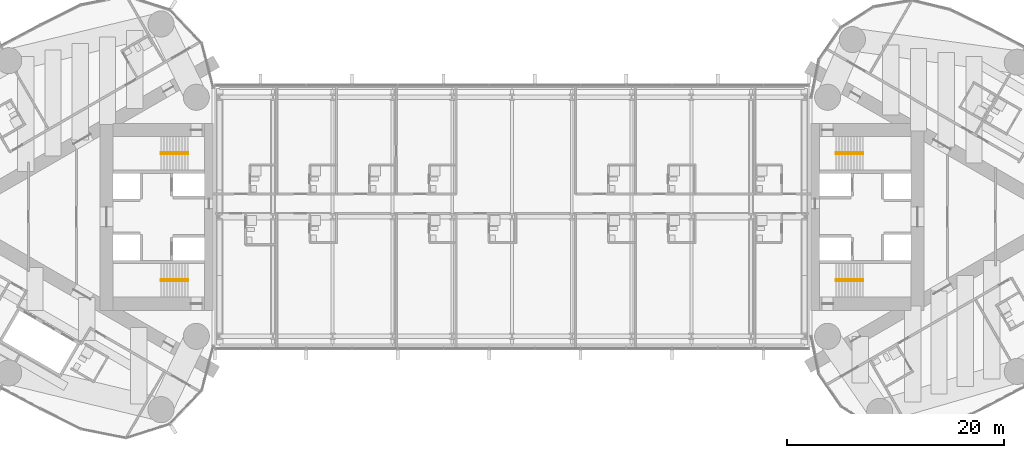
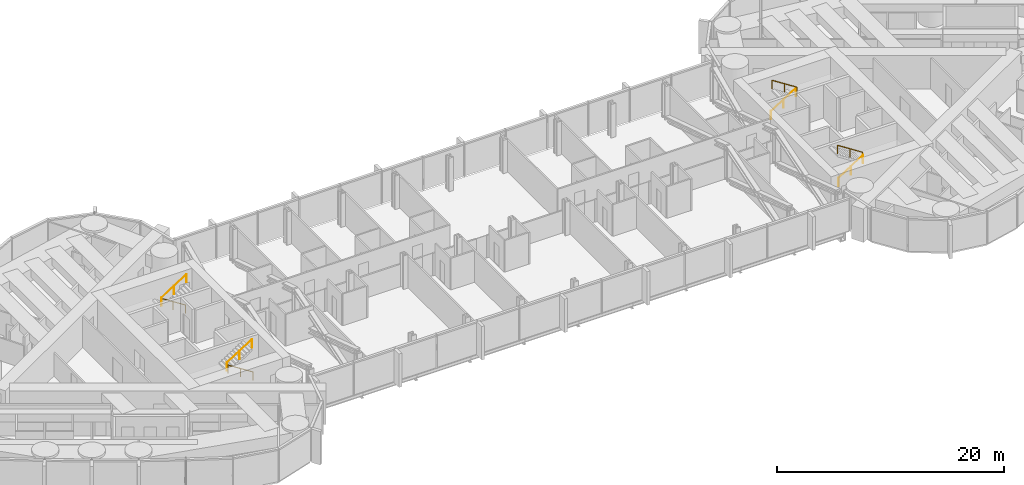
# One storey, part 21 of 22: 8 railings.
"""IFC4 building model written with IfcOpenShell, lengths in metres."""

import ifcopenshell
import ifcopenshell.guid

model = None  # the IFC model being written
_history = None  # IfcOwnerHistory: only IFC2X3 demands one
_inside = {}  # id of a spatial element -> (the spatial element, [elements in it])
_under = {}  # id of a project, library or spatial element -> (it, [spatial elements below it])
_declared = {}  # id of a project -> (the project, [libraries it declares])
_typed = {}  # id of a type object -> (the type object, [elements of that type])
_made_of = {}  # id of a material, layer set ... -> (it, [elements and type objects made of it])


def new_model(schema):
    """Start an empty IFC model of exactly this schema.

    Asked for "IFC4X3", IfcOpenShell would pick the latest addendum, in which some entities
    have other attributes; the version numbers below select the first issue.
    IFC2X3 requires an IfcOwnerHistory on every rooted entity: one is made here for all.
    """
    global model, _history
    if schema == "IFC4X3":
        model = ifcopenshell.file(schema_version=(4, 3, 0, 0))
    else:
        model = ifcopenshell.file(schema=schema)
    _inside.clear()
    _under.clear()
    _declared.clear()
    _typed.clear()
    _made_of.clear()
    _history = None
    if model.schema == "IFC2X3":
        org = make("IfcOrganization", Name="unknown")
        user = make(
            "IfcPersonAndOrganization",
            ThePerson=make("IfcPerson", FamilyName="unknown"),
            TheOrganization=org,
        )
        app = make(
            "IfcApplication",
            ApplicationDeveloper=org,
            Version="unknown",
            ApplicationFullName="unknown",
            ApplicationIdentifier="unknown",
        )
        _history = make(
            "IfcOwnerHistory",
            OwningUser=user,
            OwningApplication=app,
            ChangeAction="ADDED",
            CreationDate=0,
        )
    return model


def make(cls, **values):
    """One entity of the class cls with the attributes given. An attribute that is None is left unset."""
    return model.create_entity(
        cls, **{name: value for name, value in values.items() if value is not None}
    )


def rooted(cls, **values):
    """An entity with a GlobalId (a new one), such as an element, a storey or a relation."""
    return make(cls, GlobalId=ifcopenshell.guid.new(), OwnerHistory=_history, **values)


def si_unit(unit_type, name, prefix=None):
    """IfcSIUnit, for example si_unit("LENGTHUNIT", "METRE", prefix="MILLI")."""
    return make("IfcSIUnit", UnitType=unit_type, Prefix=prefix, Name=name)


def assignment(units):
    """IfcUnitAssignment: the units of a project."""
    return None if units is None else make("IfcUnitAssignment", Units=units)


def point(xyz):
    """IfcCartesianPoint."""
    return None if xyz is None else make("IfcCartesianPoint", Coordinates=xyz)


def direction(xyz):
    """IfcDirection."""
    return None if xyz is None else make("IfcDirection", DirectionRatios=xyz)


def frame(location, z_axis=None, x_axis=None):
    """IfcAxis2Placement3D, a coordinate frame: its origin and axes. An axis left out is left unset."""
    return make(
        "IfcAxis2Placement3D",
        Location=point(location),
        Axis=direction(z_axis),
        RefDirection=direction(x_axis),
    )


def frame_2d(location, x_axis=None):
    """IfcAxis2Placement2D, a coordinate frame in the plane: its origin and x axis."""
    return make(
        "IfcAxis2Placement2D", Location=point(location), RefDirection=direction(x_axis)
    )


def origin():
    """The frame at (0, 0, 0) with its axes left unset."""
    return frame((0.0, 0.0, 0.0))


def origin_2d():
    """The frame at (0, 0) in the plane with its x axis left unset."""
    return frame_2d((0.0, 0.0))


def place(relative_to, where):
    """IfcLocalPlacement: puts the frame where relative to a parent placement (None: the world)."""
    return make(
        "IfcLocalPlacement", PlacementRelTo=relative_to, RelativePlacement=where
    )


def context(
    kind, dimensions, precision=None, world=None, true_north=None, identifier=None
):
    """IfcGeometricRepresentationContext, for example the 3D "Model" context."""
    return make(
        "IfcGeometricRepresentationContext",
        ContextIdentifier=identifier,
        ContextType=kind,
        CoordinateSpaceDimension=dimensions,
        Precision=precision,
        WorldCoordinateSystem=world,
        TrueNorth=true_north,
    )


def subcontext(parent, identifier, kind, view, scale=None):
    """IfcGeometricRepresentationSubContext, for example "Body" below "Model"."""
    return make(
        "IfcGeometricRepresentationSubContext",
        ContextIdentifier=identifier,
        ContextType=kind,
        ParentContext=parent,
        TargetScale=scale,
        TargetView=view,
    )


def project(units=None, contexts=None):
    """IfcProject with its units and contexts."""
    return rooted(
        "IfcProject",
        Name="project",
        RepresentationContexts=contexts,
        UnitsInContext=assignment(units),
    )


def spatial(cls, under=None, at=None, **own):
    """A site, building, storey or space (cls), placed at a placement, below another one or the project."""
    s = rooted(cls, ObjectPlacement=at, **own)
    if under is not None:
        _under.setdefault(under.id(), (under, []))[1].append(s)
    return s


def profile(cls, at=None, kind="AREA", **sizes):
    """A parametric profile (cls). Its sizes go by their IFC names, for example OverallWidth=200.0."""
    return make(cls, ProfileType=kind, Position=at, **sizes)


def circle(**sizes):
    """IfcCircleProfileDef."""
    return profile("IfcCircleProfileDef", **sizes)


def extrude(swept, where, along, depth):
    """IfcExtrudedAreaSolid: the profile swept, set in the frame where, extruded along a direction by depth."""
    return make(
        "IfcExtrudedAreaSolid",
        SweptArea=swept,
        Position=where,
        ExtrudedDirection=direction(along),
        Depth=depth,
    )


def shape(context_of_items, identifier, shape_type, items):
    """IfcShapeRepresentation: the items that make up one representation, for example the "Body"."""
    return make(
        "IfcShapeRepresentation",
        ContextOfItems=context_of_items,
        RepresentationIdentifier=identifier,
        RepresentationType=shape_type,
        Items=items,
    )


def material(Name=None, Category=None):
    """IfcMaterial."""
    return make("IfcMaterial", Name=Name, Category=Category)


def made_of(thing, what):
    """Note that an element or type object is made of a material, layer set ...; save() writes the relation."""
    if what is not None:
        _made_of.setdefault(what.id(), (what, []))[1].append(thing)
    return thing


def type_object(cls, material=None, **own):
    """A type object (cls), such as IfcWallType, which elements share."""
    return made_of(rooted(cls, **own), material)


def element(
    cls,
    number,
    at=None,
    inside=None,
    cuts=None,
    type_object=None,
    material=None,
    context=None,
    identifier="Body",
    shape_type=None,
    held_by="IfcProductDefinitionShape",
    body=None,
    shapes=None,
    **own,
):
    """One element of the class cls, such as IfcWall. Its Tag is "e" and its number.

    at: its placement. inside: the storey or other place that contains it. cuts: it is an
    opening in that element (IfcRelVoidsElement). A single representation is given by context,
    identifier, shape_type and body (its items); several are given by shapes. held_by: the class
    of the entity that holds the representations. save() writes the other relations.
    """
    e = rooted(cls, Tag="e%d" % number, ObjectPlacement=at, **own)
    if body is not None:
        shapes = [shape(context, identifier, shape_type, body)]
    if shapes is not None:
        e.Representation = make(held_by, Representations=shapes)
    if inside is not None:
        _inside.setdefault(inside.id(), (inside, []))[1].append(e)
    if cuts is not None:
        rooted(
            "IfcRelVoidsElement", RelatingBuildingElement=cuts, RelatedOpeningElement=e
        )
    if type_object is not None:
        _typed.setdefault(type_object.id(), (type_object, []))[1].append(e)
    return made_of(e, material)


def aggregate(whole, parts):
    """IfcRelAggregates: a whole, such as a stair, and the parts it consists of."""
    return rooted("IfcRelAggregates", RelatingObject=whole, RelatedObjects=parts)


def save(model, path):
    """Write the relations noted so far, then the file.

    IfcRelAggregates (storeys below a building ...), IfcRelContainedInSpatialStructure (elements
    in a storey), IfcRelDefinesByType, IfcRelAssociatesMaterial and IfcRelDeclares: one each for
    every whole, place, type object, material and project.
    """
    for whole, parts in _under.values():
        aggregate(whole, parts)
    for where, things in _inside.values():
        rooted(
            "IfcRelContainedInSpatialStructure",
            RelatedElements=things,
            RelatingStructure=where,
        )
    for kind, things in _typed.values():
        rooted("IfcRelDefinesByType", RelatedObjects=things, RelatingType=kind)
    for what, things in _made_of.values():
        rooted("IfcRelAssociatesMaterial", RelatedObjects=things, RelatingMaterial=what)
    for by, libraries in _declared.values():
        rooted("IfcRelDeclares", RelatingContext=by, RelatedDefinitions=libraries)
    model.write(path)


model = new_model("IFC4")

# Units and contexts
model_context = context("Model", 3, precision=1e-05, world=origin(), true_north=direction((0.0, 1.0)))
body_context = subcontext(model_context, "Body", "Model", "MODEL_VIEW")
ifc_project = project(units=[si_unit("LENGTHUNIT", "METRE"), si_unit("AREAUNIT", "SQUARE_METRE"), si_unit("VOLUMEUNIT", "CUBIC_METRE"), si_unit("PLANEANGLEUNIT", "RADIAN"), si_unit("MASSUNIT", "GRAM", prefix="KILO")], contexts=[model_context])

# Site, building, storey
site_placement = place(None, origin())
site = spatial("IfcSite", under=ifc_project, at=site_placement, CompositionType="ELEMENT")
building_placement = place(site_placement, origin())
building = spatial("IfcBuilding", under=site, at=building_placement, Name="Lancet Gate Hotel", CompositionType="ELEMENT")
storey_placement = place(building_placement, frame((0.0, 0.0, 233.300048828125)))
storey = spatial("IfcBuildingStorey", under=building, at=storey_placement, Name="L62", CompositionType="ELEMENT", Elevation=233.300048828125)

# Railings
ifc_material = material(Name="Stainless steel handrail", Category="steel")
railing_type = type_object("IfcRailingType", Name="Stair handrail 900", PredefinedType="HANDRAIL", material=ifc_material)
railing_1_placement = place(storey_placement, frame((-29.800048828125, 5.929931640625, 0.179931640625)))
element("IfcRailing", 1, at=railing_1_placement, inside=storey, type_object=railing_type, Name="ST1 handrail flight 1 L62", PredefinedType="HANDRAIL", context=body_context, shape_type="SweptSolid", body=[
    extrude(circle(Radius=0.02392578125, at=origin_2d()), frame((0.0, 0.0, 0.8759765625), z_axis=(-0.841162588446, 0.0, 0.540782303519), x_axis=(0.0, -1.0, 0.0)), (0.0, 0.0, 1.0), 2.995849609375),
    extrude(circle(Radius=0.02099609375, at=origin_2d()), origin(), (0.0, 0.0, 1.0), 0.851806640625),
    extrude(circle(Radius=0.02099609375, at=origin_2d()), frame((-1.260009765625, 0.0, 0.81005859375)), (0.0, 0.0, 1.0), 0.851806640625),
    extrude(circle(Radius=0.02099609375, at=origin_2d()), frame((-2.52001953125, 0.0, 1.6201171875)), (0.0, 0.0, 1.0), 0.851806640625),
])
railing_2_placement = place(storey_placement, frame((-32.320068359375, 5.77001953125, 1.97998046875)))
element("IfcRailing", 2, at=railing_2_placement, inside=storey, type_object=railing_type, Name="ST1 handrail flight 2 L62", PredefinedType="HANDRAIL", context=body_context, shape_type="SweptSolid", body=[
    extrude(circle(Radius=0.02392578125, at=origin_2d()), frame((0.0, 0.0, 0.8759765625), z_axis=(0.841199657755, 0.0, 0.540724639528), x_axis=(0.0, 1.0, 0.0)), (0.0, 0.0, 1.0), 2.995849609375),
    extrude(circle(Radius=0.02099609375, at=origin_2d()), origin(), (0.0, 0.0, 1.0), 0.851806640625),
    extrude(circle(Radius=0.02099609375, at=origin_2d()), frame((1.260009765625, 0.0, 0.81005859375)), (0.0, 0.0, 1.0), 0.851806640625),
    extrude(circle(Radius=0.02099609375, at=origin_2d()), frame((2.52001953125, 0.0, 1.619873046875)), (0.0, 0.0, 1.0), 0.851806640625),
])
railing_3_placement = place(storey_placement, frame((-29.800048828125, -5.929931640625, 0.179931640625)))
element("IfcRailing", 3, at=railing_3_placement, inside=storey, type_object=railing_type, Name="ST2 handrail flight 1 L62", PredefinedType="HANDRAIL", context=body_context, shape_type="SweptSolid", body=[
    extrude(circle(Radius=0.02392578125, at=origin_2d()), frame((0.0, 0.0, 0.8759765625), z_axis=(-0.841162588446, 0.0, 0.540782303519), x_axis=(0.0, -1.0, 0.0)), (0.0, 0.0, 1.0), 2.995849609375),
    extrude(circle(Radius=0.02099609375, at=origin_2d()), origin(), (0.0, 0.0, 1.0), 0.851806640625),
    extrude(circle(Radius=0.02099609375, at=origin_2d()), frame((-1.260009765625, 0.0, 0.81005859375)), (0.0, 0.0, 1.0), 0.851806640625),
    extrude(circle(Radius=0.02099609375, at=origin_2d()), frame((-2.52001953125, 0.0, 1.6201171875)), (0.0, 0.0, 1.0), 0.851806640625),
])
railing_4_placement = place(storey_placement, frame((-32.320068359375, -5.77001953125, 1.97998046875)))
element("IfcRailing", 4, at=railing_4_placement, inside=storey, type_object=railing_type, Name="ST2 handrail flight 2 L62", PredefinedType="HANDRAIL", context=body_context, shape_type="SweptSolid", body=[
    extrude(circle(Radius=0.02392578125, at=origin_2d()), frame((0.0, 0.0, 0.8759765625), z_axis=(0.841199657755, 0.0, 0.540724639528), x_axis=(0.0, 1.0, 0.0)), (0.0, 0.0, 1.0), 2.995849609375),
    extrude(circle(Radius=0.02099609375, at=origin_2d()), origin(), (0.0, 0.0, 1.0), 0.851806640625),
    extrude(circle(Radius=0.02099609375, at=origin_2d()), frame((1.260009765625, 0.0, 0.81005859375)), (0.0, 0.0, 1.0), 0.851806640625),
    extrude(circle(Radius=0.02099609375, at=origin_2d()), frame((2.52001953125, 0.0, 1.619873046875)), (0.0, 0.0, 1.0), 0.851806640625),
])
railing_5_placement = place(storey_placement, frame((29.800048828125, -5.929931640625, 0.179931640625)))
element("IfcRailing", 5, at=railing_5_placement, inside=storey, type_object=railing_type, Name="ST3 handrail flight 1 L62", PredefinedType="HANDRAIL", context=body_context, shape_type="SweptSolid", body=[
    extrude(circle(Radius=0.02392578125, at=origin_2d()), frame((0.0, 0.0, 0.8759765625), z_axis=(0.841162588446, 0.0, 0.540782303519), x_axis=(0.0, 1.0, 0.0)), (0.0, 0.0, 1.0), 2.995849609375),
    extrude(circle(Radius=0.02099609375, at=origin_2d()), origin(), (0.0, 0.0, 1.0), 0.851806640625),
    extrude(circle(Radius=0.02099609375, at=origin_2d()), frame((1.260009765625, 0.0, 0.81005859375)), (0.0, 0.0, 1.0), 0.851806640625),
    extrude(circle(Radius=0.02099609375, at=origin_2d()), frame((2.52001953125, 0.0, 1.6201171875)), (0.0, 0.0, 1.0), 0.851806640625),
])
railing_6_placement = place(storey_placement, frame((32.320068359375, -5.77001953125, 1.97998046875)))
element("IfcRailing", 6, at=railing_6_placement, inside=storey, type_object=railing_type, Name="ST3 handrail flight 2 L62", PredefinedType="HANDRAIL", context=body_context, shape_type="SweptSolid", body=[
    extrude(circle(Radius=0.02392578125, at=origin_2d()), frame((0.0, 0.0, 0.8759765625), z_axis=(-0.841199657755, 0.0, 0.540724639528), x_axis=(0.0, -1.0, 0.0)), (0.0, 0.0, 1.0), 2.995849609375),
    extrude(circle(Radius=0.02099609375, at=origin_2d()), origin(), (0.0, 0.0, 1.0), 0.851806640625),
    extrude(circle(Radius=0.02099609375, at=origin_2d()), frame((-1.260009765625, 0.0, 0.81005859375)), (0.0, 0.0, 1.0), 0.851806640625),
    extrude(circle(Radius=0.02099609375, at=origin_2d()), frame((-2.52001953125, 0.0, 1.619873046875)), (0.0, 0.0, 1.0), 0.851806640625),
])
railing_7_placement = place(storey_placement, frame((29.800048828125, 5.929931640625, 0.179931640625)))
element("IfcRailing", 7, at=railing_7_placement, inside=storey, type_object=railing_type, Name="ST4 handrail flight 1 L62", PredefinedType="HANDRAIL", context=body_context, shape_type="SweptSolid", body=[
    extrude(circle(Radius=0.02392578125, at=origin_2d()), frame((0.0, 0.0, 0.8759765625), z_axis=(0.841162588446, 0.0, 0.540782303519), x_axis=(0.0, 1.0, 0.0)), (0.0, 0.0, 1.0), 2.995849609375),
    extrude(circle(Radius=0.02099609375, at=origin_2d()), origin(), (0.0, 0.0, 1.0), 0.851806640625),
    extrude(circle(Radius=0.02099609375, at=origin_2d()), frame((1.260009765625, 0.0, 0.81005859375)), (0.0, 0.0, 1.0), 0.851806640625),
    extrude(circle(Radius=0.02099609375, at=origin_2d()), frame((2.52001953125, 0.0, 1.6201171875)), (0.0, 0.0, 1.0), 0.851806640625),
])
railing_8_placement = place(storey_placement, frame((32.320068359375, 5.77001953125, 1.97998046875)))
element("IfcRailing", 8, at=railing_8_placement, inside=storey, type_object=railing_type, Name="ST4 handrail flight 2 L62", PredefinedType="HANDRAIL", context=body_context, shape_type="SweptSolid", body=[
    extrude(circle(Radius=0.02392578125, at=origin_2d()), frame((0.0, 0.0, 0.8759765625), z_axis=(-0.841199657755, 0.0, 0.540724639528), x_axis=(0.0, -1.0, 0.0)), (0.0, 0.0, 1.0), 2.995849609375),
    extrude(circle(Radius=0.02099609375, at=origin_2d()), origin(), (0.0, 0.0, 1.0), 0.851806640625),
    extrude(circle(Radius=0.02099609375, at=origin_2d()), frame((-1.260009765625, 0.0, 0.81005859375)), (0.0, 0.0, 1.0), 0.851806640625),
    extrude(circle(Radius=0.02099609375, at=origin_2d()), frame((-2.52001953125, 0.0, 1.619873046875)), (0.0, 0.0, 1.0), 0.851806640625),
])

save(model, "model.ifc")
